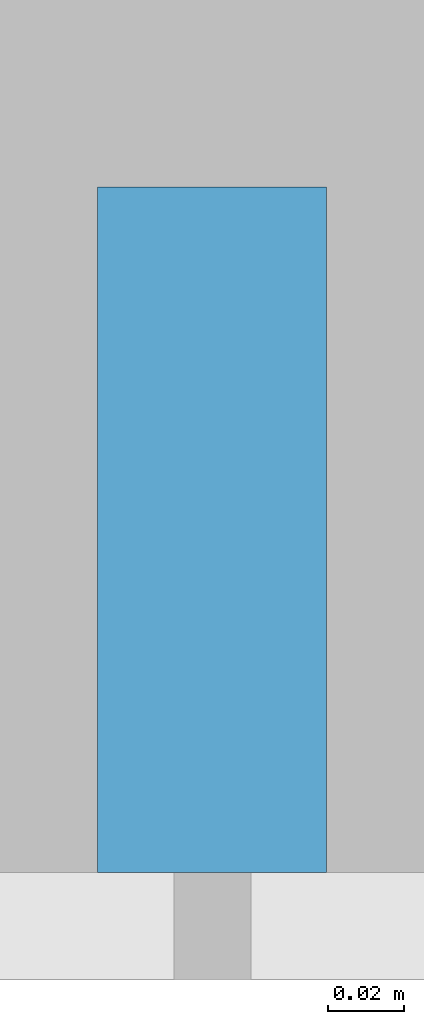
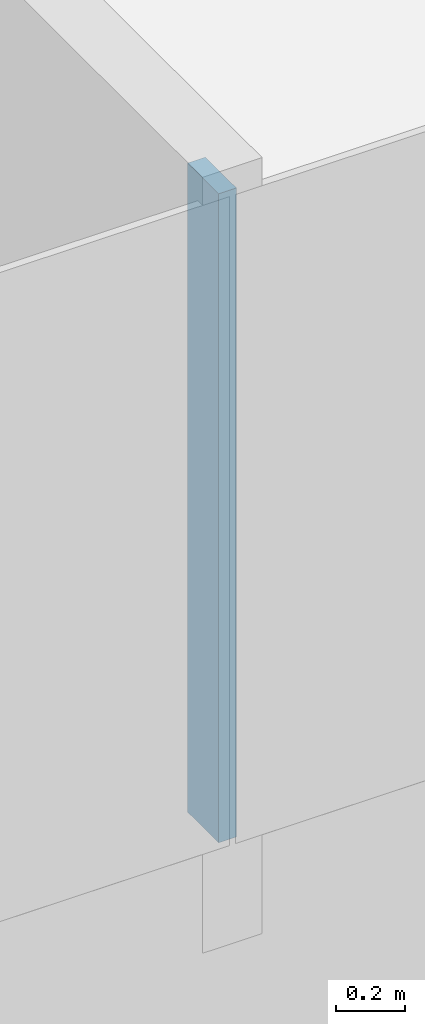
# One storey, part 5 of 26: 1 member, 1 element without a shape of its own.
"""IFC4 building model written with IfcOpenShell, lengths in metres."""

from ifc_helpers import new_model, si_unit, direction, frame, origin, origin_2d, place, context, subcontext, project, spatial, rectangle, extrude, material, layer, layer_set, material_profile, profile_set, type_object, element, aggregate, save


model = new_model("IFC4")

# Units and contexts
model_context = context("Model", 3, precision=1e-05, world=origin(), true_north=direction((0.0, 1.0)))
body_context = subcontext(model_context, "Body", "Model", "MODEL_VIEW")
ifc_project = project(units=[si_unit("LENGTHUNIT", "METRE"), si_unit("AREAUNIT", "SQUARE_METRE"), si_unit("VOLUMEUNIT", "CUBIC_METRE"), si_unit("PLANEANGLEUNIT", "RADIAN"), si_unit("MASSUNIT", "GRAM", prefix="KILO")], contexts=[model_context])

# Site, building, storey
site_placement = place(None, origin())
site = spatial("IfcSite", under=ifc_project, at=site_placement, CompositionType="ELEMENT")
building_placement = place(site_placement, origin())
building = spatial("IfcBuilding", under=site, at=building_placement, Name="Hakoniwa Tower and Hamabe Station Hall", CompositionType="ELEMENT")
storey_placement = place(building_placement, frame((0.0, 0.0, 140.60009765625)))
storey = spatial("IfcBuildingStorey", under=building, at=storey_placement, Name="L39", CompositionType="ELEMENT", Elevation=140.60009765625)

# Curtain wall, member
ifc_material_1 = material(Name="Dark low-e laminated glass", Category="glass")
ifc_layer = layer(ifc_material_1, 0.199951171875)
ifc_layer_set = layer_set([ifc_layer], Name="CW-1 UNITISED GUEST")
curtain_wall_type = type_object("IfcCurtainWallType", Name="CW-1 UNITISED GUEST", PredefinedType="NOTDEFINED", material=ifc_layer_set)
curtain_wall_placement = place(storey_placement, origin())
curtain_wall = element("IfcCurtainWall", 1, at=curtain_wall_placement, inside=storey, type_object=curtain_wall_type, Name="CW-1 curtain wall", PredefinedType="NOTDEFINED")
ifc_material_2 = material(Name="Aluminium 6063-T5 black anodised", Category="aluminium")
ifc_material_profile = material_profile(ifc_material_2, rectangle(XDim=0.06005859375, YDim=0.179931640625, at=origin_2d()), Name="CW-1 MULLION 60X180")
ifc_profile_set = profile_set([ifc_material_profile], Name="Aluminium 6063-T5 black anodised")
member_type = type_object("IfcMemberType", Name="CW-1 MULLION 60X180", PredefinedType="MULLION", material=ifc_profile_set)
member_placement = place(storey_placement, frame((8.39990234375, -19.181884765625, 0.349853515625), z_axis=(0.0, 0.0, 1.0), x_axis=(1.0, 0.0, 0.0)))
member = element("IfcMember", 2, at=member_placement, type_object=member_type, Name="CW-1 mullion", PredefinedType="MULLION", context=body_context, shape_type="SweptSolid", body=[
    extrude(rectangle(XDim=0.06005859375, YDim=0.179931640625, at=origin_2d()), origin(), (0.0, 0.0, 1.0), 2.300048828125),
])
aggregate(curtain_wall, [member])

save(model, "model.ifc")
